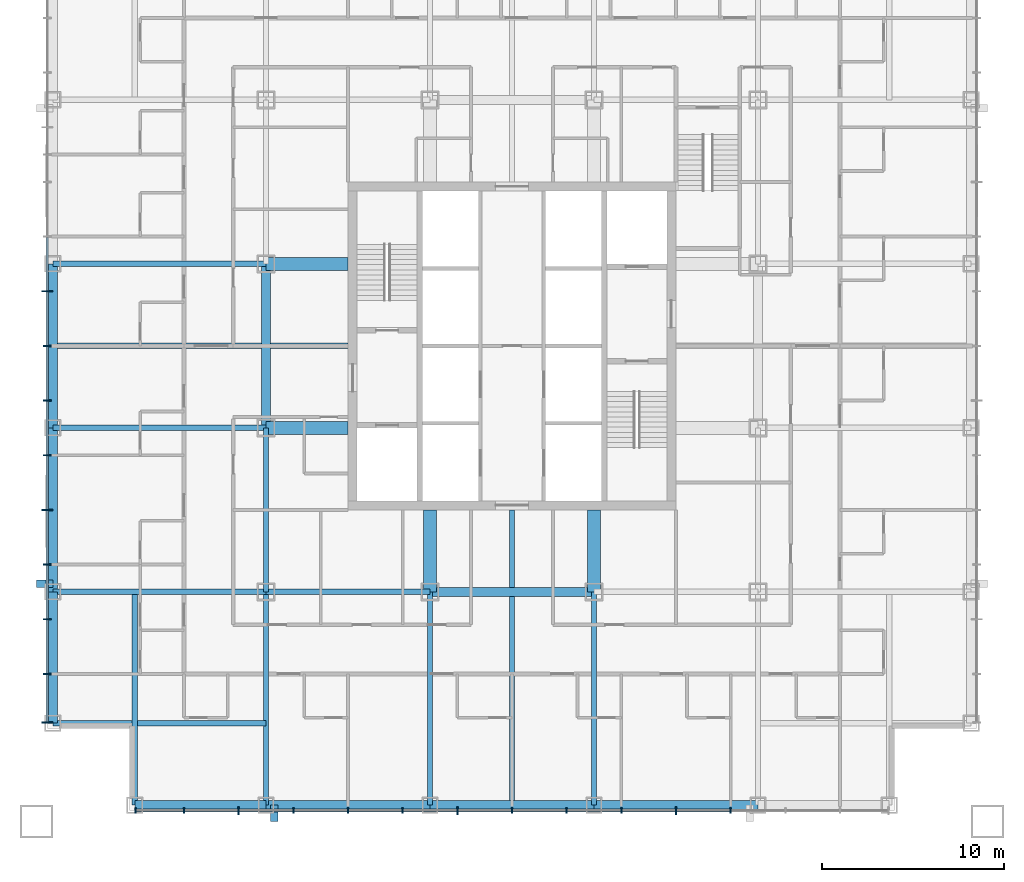
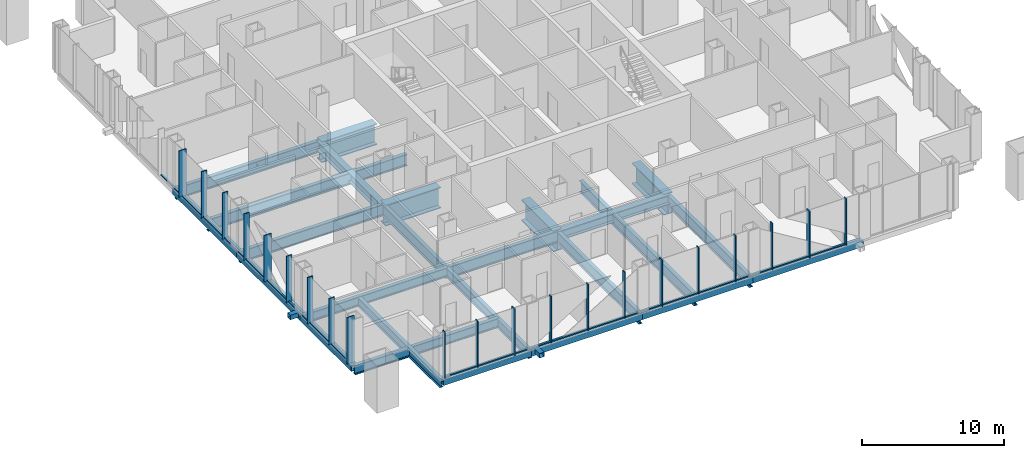
# One storey, part 2 of 14: 43 members, 25 beams, 2 elements without a shape of their own.
"""IFC4 building model written with IfcOpenShell, lengths in metres."""

from ifc_helpers import new_model, si_unit, direction, frame, origin, origin_2d, place, context, subcontext, project, spatial, rectangle, hollow_rectangle, i_section, extrude, material, layer, layer_set, material_profile, profile_set, type_object, element, aggregate, save


model = new_model("IFC4")

# Units and contexts
model_context = context("Model", 3, precision=1e-05, world=origin(), true_north=direction((0.0, 1.0)))
body_context = subcontext(model_context, "Body", "Model", "MODEL_VIEW")
ifc_project = project(units=[si_unit("LENGTHUNIT", "METRE"), si_unit("AREAUNIT", "SQUARE_METRE"), si_unit("VOLUMEUNIT", "CUBIC_METRE"), si_unit("PLANEANGLEUNIT", "RADIAN"), si_unit("MASSUNIT", "GRAM", prefix="KILO")], contexts=[model_context])

# Site, building, storey
site_placement = place(None, origin())
site = spatial("IfcSite", under=ifc_project, at=site_placement, CompositionType="ELEMENT")
building_placement = place(site_placement, origin())
building = spatial("IfcBuilding", under=site, at=building_placement, Name="Malebo Sky Hospital", CompositionType="ELEMENT")
storey_placement = place(building_placement, frame((0.0, 0.0, 71.0)))
storey = spatial("IfcBuildingStorey", under=building, at=storey_placement, Name="L16", CompositionType="ELEMENT", Elevation=71.0)

# Curtain wall, members
ifc_material_1 = material(Name="Anodised aluminium, natural silver", Category="aluminium")
ifc_layer_1 = layer(ifc_material_1, 0.25)
ifc_layer_set_1 = layer_set([ifc_layer_1], Name="WARD CURTAIN WALL EAST AND WEST")
curtain_wall_type_1 = type_object("IfcCurtainWallType", Name="WARD CURTAIN WALL EAST AND WEST", PredefinedType="NOTDEFINED", material=ifc_layer_set_1)
curtain_wall_1_placement = place(storey_placement, origin())
curtain_wall_1 = element("IfcCurtainWall", 1, at=curtain_wall_1_placement, inside=storey, type_object=curtain_wall_type_1, Name="EW curtain wall W", PredefinedType="NOTDEFINED")
ifc_material_profile_1 = material_profile(ifc_material_1, rectangle(XDim=0.14990234375, YDim=0.10009765625, at=origin_2d()), Name="ALUMINIUM TRANSOM 150x100")
ifc_profile_set_1 = profile_set([ifc_material_profile_1], Name="Anodised aluminium, natural silver")
member_type_1 = type_object("IfcMemberType", Name="ALUMINIUM TRANSOM 150x100", PredefinedType="USERDEFINED", material=ifc_profile_set_1)
member_1_placement = place(storey_placement, frame((34.5, 41.375, 0.050048828125), z_axis=(0.0, 1.0, 0.0), x_axis=(-1.0, 0.0, 0.0)))
member_1 = element("IfcMember", 2, at=member_1_placement, type_object=member_type_1, Name="Transom 1", ObjectType="TRANSOM", PredefinedType="USERDEFINED", context=body_context, shape_type="SweptSolid", body=[
    extrude(rectangle(XDim=0.14990234375, YDim=0.10009765625, at=origin_2d()), origin(), (0.0, 0.0, 1.0), 2.58740234375),
])
member_2_placement = place(storey_placement, frame((34.5, 44.03759765625, 0.050048828125), z_axis=(0.0, 1.0, 0.0), x_axis=(-1.0, 0.0, 0.0)))
member_2 = element("IfcMember", 3, at=member_2_placement, type_object=member_type_1, Name="Transom 2", ObjectType="TRANSOM", PredefinedType="USERDEFINED", context=body_context, shape_type="SweptSolid", body=[
    extrude(rectangle(XDim=0.14990234375, YDim=0.10009765625, at=origin_2d()), origin(), (0.0, 0.0, 1.0), 2.9248046875),
])
member_3_placement = place(storey_placement, frame((34.5, 47.03759765625, 0.050048828125), z_axis=(0.0, 1.0, 0.0), x_axis=(-1.0, 0.0, 0.0)))
member_3 = element("IfcMember", 4, at=member_3_placement, type_object=member_type_1, Name="Transom 3", ObjectType="TRANSOM", PredefinedType="USERDEFINED", context=body_context, shape_type="SweptSolid", body=[
    extrude(rectangle(XDim=0.14990234375, YDim=0.10009765625, at=origin_2d()), origin(), (0.0, 0.0, 1.0), 2.9248046875),
])
member_4_placement = place(storey_placement, frame((34.5, 50.03759765625, 0.050048828125), z_axis=(0.0, 1.0, 0.0), x_axis=(-1.0, 0.0, 0.0)))
member_4 = element("IfcMember", 5, at=member_4_placement, type_object=member_type_1, Name="Transom 4", ObjectType="TRANSOM", PredefinedType="USERDEFINED", context=body_context, shape_type="SweptSolid", body=[
    extrude(rectangle(XDim=0.14990234375, YDim=0.10009765625, at=origin_2d()), origin(), (0.0, 0.0, 1.0), 2.9248046875),
])
member_5_placement = place(storey_placement, frame((34.5, 53.03759765625, 0.050048828125), z_axis=(0.0, 1.0, 0.0), x_axis=(-1.0, 0.0, 0.0)))
member_5 = element("IfcMember", 6, at=member_5_placement, type_object=member_type_1, Name="Transom 5", ObjectType="TRANSOM", PredefinedType="USERDEFINED", context=body_context, shape_type="SweptSolid", body=[
    extrude(rectangle(XDim=0.14990234375, YDim=0.10009765625, at=origin_2d()), origin(), (0.0, 0.0, 1.0), 2.9248046875),
])
member_6_placement = place(storey_placement, frame((34.5, 56.03759765625, 0.050048828125), z_axis=(0.0, 1.0, 0.0), x_axis=(-1.0, 0.0, 0.0)))
member_6 = element("IfcMember", 7, at=member_6_placement, type_object=member_type_1, Name="Transom 6", ObjectType="TRANSOM", PredefinedType="USERDEFINED", context=body_context, shape_type="SweptSolid", body=[
    extrude(rectangle(XDim=0.14990234375, YDim=0.10009765625, at=origin_2d()), origin(), (0.0, 0.0, 1.0), 2.9248046875),
])
member_7_placement = place(storey_placement, frame((34.5, 59.03759765625, 0.050048828125), z_axis=(0.0, 1.0, 0.0), x_axis=(-1.0, 0.0, 0.0)))
member_7 = element("IfcMember", 8, at=member_7_placement, type_object=member_type_1, Name="Transom 7", ObjectType="TRANSOM", PredefinedType="USERDEFINED", context=body_context, shape_type="SweptSolid", body=[
    extrude(rectangle(XDim=0.14990234375, YDim=0.10009765625, at=origin_2d()), origin(), (0.0, 0.0, 1.0), 2.9248046875),
])
member_8_placement = place(storey_placement, frame((34.5, 62.03759765625, 0.050048828125), z_axis=(0.0, 1.0, 0.0), x_axis=(-1.0, 0.0, 0.0)))
member_8 = element("IfcMember", 9, at=member_8_placement, type_object=member_type_1, Name="Transom 8", ObjectType="TRANSOM", PredefinedType="USERDEFINED", context=body_context, shape_type="SweptSolid", body=[
    extrude(rectangle(XDim=0.14990234375, YDim=0.10009765625, at=origin_2d()), origin(), (0.0, 0.0, 1.0), 2.9248046875),
])
member_9_placement = place(storey_placement, frame((34.5, 65.03759765625, 0.050048828125), z_axis=(0.0, 1.0, 0.0), x_axis=(-1.0, 0.0, 0.0)))
member_9 = element("IfcMember", 10, at=member_9_placement, type_object=member_type_1, Name="Transom 9", ObjectType="TRANSOM", PredefinedType="USERDEFINED", context=body_context, shape_type="SweptSolid", body=[
    extrude(rectangle(XDim=0.14990234375, YDim=0.10009765625, at=origin_2d()), origin(), (0.0, 0.0, 1.0), 2.9248046875),
])

ifc_layer_2 = layer(ifc_material_1, 0.25)
ifc_layer_set_2 = layer_set([ifc_layer_2], Name="WARD CURTAIN WALL NORTH AND SOUTH")
curtain_wall_type_2 = type_object("IfcCurtainWallType", Name="WARD CURTAIN WALL NORTH AND SOUTH", PredefinedType="NOTDEFINED", material=ifc_layer_set_2)
curtain_wall_2_placement = place(storey_placement, origin())
curtain_wall_2 = element("IfcCurtainWall", 11, at=curtain_wall_2_placement, inside=storey, type_object=curtain_wall_type_2, Name="NS curtain wall S", PredefinedType="NOTDEFINED")
member_10_placement = place(storey_placement, frame((71.96240234375, 36.5, 0.050048828125), z_axis=(-1.0, 0.0, 0.0), x_axis=(0.0, -1.0, 0.0)))
member_10 = element("IfcMember", 12, at=member_10_placement, type_object=member_type_1, Name="Transom 4", ObjectType="TRANSOM", PredefinedType="USERDEFINED", context=body_context, shape_type="SweptSolid", body=[
    extrude(rectangle(XDim=0.14990234375, YDim=0.10009765625, at=origin_2d()), origin(), (0.0, 0.0, 1.0), 2.9248046875),
])
member_11_placement = place(storey_placement, frame((68.96240234375, 36.5, 0.050048828125), z_axis=(-1.0, 0.0, 0.0), x_axis=(0.0, -1.0, 0.0)))
member_11 = element("IfcMember", 13, at=member_11_placement, type_object=member_type_1, Name="Transom 5", ObjectType="TRANSOM", PredefinedType="USERDEFINED", context=body_context, shape_type="SweptSolid", body=[
    extrude(rectangle(XDim=0.14990234375, YDim=0.10009765625, at=origin_2d()), origin(), (0.0, 0.0, 1.0), 2.9248046875),
])
member_12_placement = place(storey_placement, frame((65.96240234375, 36.5, 0.050048828125), z_axis=(-1.0, 0.0, 0.0), x_axis=(0.0, -1.0, 0.0)))
member_12 = element("IfcMember", 14, at=member_12_placement, type_object=member_type_1, Name="Transom 6", ObjectType="TRANSOM", PredefinedType="USERDEFINED", context=body_context, shape_type="SweptSolid", body=[
    extrude(rectangle(XDim=0.14990234375, YDim=0.10009765625, at=origin_2d()), origin(), (0.0, 0.0, 1.0), 2.9248046875),
])
member_13_placement = place(storey_placement, frame((62.96240234375, 36.5, 0.050048828125), z_axis=(-1.0, 0.0, 0.0), x_axis=(0.0, -1.0, 0.0)))
member_13 = element("IfcMember", 15, at=member_13_placement, type_object=member_type_1, Name="Transom 7", ObjectType="TRANSOM", PredefinedType="USERDEFINED", context=body_context, shape_type="SweptSolid", body=[
    extrude(rectangle(XDim=0.14990234375, YDim=0.10009765625, at=origin_2d()), origin(), (0.0, 0.0, 1.0), 2.9248046875),
])
member_14_placement = place(storey_placement, frame((59.96240234375, 36.5, 0.050048828125), z_axis=(-1.0, 0.0, 0.0), x_axis=(0.0, -1.0, 0.0)))
member_14 = element("IfcMember", 16, at=member_14_placement, type_object=member_type_1, Name="Transom 8", ObjectType="TRANSOM", PredefinedType="USERDEFINED", context=body_context, shape_type="SweptSolid", body=[
    extrude(rectangle(XDim=0.14990234375, YDim=0.10009765625, at=origin_2d()), origin(), (0.0, 0.0, 1.0), 2.9248046875),
])
member_15_placement = place(storey_placement, frame((56.96240234375, 36.5, 0.050048828125), z_axis=(-1.0, 0.0, 0.0), x_axis=(0.0, -1.0, 0.0)))
member_15 = element("IfcMember", 17, at=member_15_placement, type_object=member_type_1, Name="Transom 9", ObjectType="TRANSOM", PredefinedType="USERDEFINED", context=body_context, shape_type="SweptSolid", body=[
    extrude(rectangle(XDim=0.14990234375, YDim=0.10009765625, at=origin_2d()), origin(), (0.0, 0.0, 1.0), 2.9248046875),
])
member_16_placement = place(storey_placement, frame((53.96240234375, 36.5, 0.050048828125), z_axis=(-1.0, 0.0, 0.0), x_axis=(0.0, -1.0, 0.0)))
member_16 = element("IfcMember", 18, at=member_16_placement, type_object=member_type_1, Name="Transom 10", ObjectType="TRANSOM", PredefinedType="USERDEFINED", context=body_context, shape_type="SweptSolid", body=[
    extrude(rectangle(XDim=0.14990234375, YDim=0.10009765625, at=origin_2d()), origin(), (0.0, 0.0, 1.0), 2.9248046875),
])
member_17_placement = place(storey_placement, frame((50.96240234375, 36.5, 0.050048828125), z_axis=(-1.0, 0.0, 0.0), x_axis=(0.0, -1.0, 0.0)))
member_17 = element("IfcMember", 19, at=member_17_placement, type_object=member_type_1, Name="Transom 11", ObjectType="TRANSOM", PredefinedType="USERDEFINED", context=body_context, shape_type="SweptSolid", body=[
    extrude(rectangle(XDim=0.14990234375, YDim=0.10009765625, at=origin_2d()), origin(), (0.0, 0.0, 1.0), 2.9248046875),
])
member_18_placement = place(storey_placement, frame((47.96240234375, 36.5, 0.050048828125), z_axis=(-1.0, 0.0, 0.0), x_axis=(0.0, -1.0, 0.0)))
member_18 = element("IfcMember", 20, at=member_18_placement, type_object=member_type_1, Name="Transom 12", ObjectType="TRANSOM", PredefinedType="USERDEFINED", context=body_context, shape_type="SweptSolid", body=[
    extrude(rectangle(XDim=0.14990234375, YDim=0.10009765625, at=origin_2d()), origin(), (0.0, 0.0, 1.0), 2.9248046875),
])
member_19_placement = place(storey_placement, frame((44.96240234375, 36.5, 0.050048828125), z_axis=(-1.0, 0.0, 0.0), x_axis=(0.0, -1.0, 0.0)))
member_19 = element("IfcMember", 21, at=member_19_placement, type_object=member_type_1, Name="Transom 13", ObjectType="TRANSOM", PredefinedType="USERDEFINED", context=body_context, shape_type="SweptSolid", body=[
    extrude(rectangle(XDim=0.14990234375, YDim=0.10009765625, at=origin_2d()), origin(), (0.0, 0.0, 1.0), 2.9248046875),
])
member_20_placement = place(storey_placement, frame((41.96240234375, 36.5, 0.050048828125), z_axis=(-1.0, 0.0, 0.0), x_axis=(0.0, -1.0, 0.0)))
member_20 = element("IfcMember", 22, at=member_20_placement, type_object=member_type_1, Name="Transom 14", ObjectType="TRANSOM", PredefinedType="USERDEFINED", context=body_context, shape_type="SweptSolid", body=[
    extrude(rectangle(XDim=0.14990234375, YDim=0.10009765625, at=origin_2d()), origin(), (0.0, 0.0, 1.0), 2.58740234375),
])

# Members
ifc_material_2 = material(Name="Steel S355", Category="steel")
ifc_material_profile_2 = material_profile(ifc_material_2, hollow_rectangle(XDim=0.39990234375, YDim=0.39990234375, WallThickness=0.02001953125, at=origin_2d()), Name="SHS 400x20")
ifc_profile_set_2 = profile_set([ifc_material_profile_2], Name="Steel S355")
member_type_2 = type_object("IfcMemberType", Name="BRACE STRUT SHS 400x20", PredefinedType="STRUT", material=ifc_profile_set_2)
for number, where, z_axis, x_axis, name in (
    (23, (46.949951171875, 35.89990234375, -0.39990234375), (0.0, 1.0, 0.0), (-1.0, 0.0, 0.0), "Brace strut AS1 L16"),
    (24, (33.89990234375, 48.949951171875, -0.39990234375), (1.0, 0.0, 0.0), (0.0, 1.0, 0.0), "Brace strut AW2 L16"),
):
    element("IfcMember", number, at=place(storey_placement, frame(where, z_axis=z_axis, x_axis=x_axis)), inside=storey, type_object=member_type_2, Name=name, PredefinedType="STRUT", context=body_context, shape_type="SweptSolid", body=[
        extrude(hollow_rectangle(XDim=0.39990234375, YDim=0.39990234375, WallThickness=0.02001953125, at=origin_2d()), origin(), (0.0, 0.0, 1.0), 0.900146484375),
    ])

# Member
ifc_material_profile_3 = material_profile(ifc_material_1, rectangle(XDim=0.074951171875, YDim=0.300048828125, at=origin_2d()), Name="CW1 ALUMINIUM FIN MULLION 75x300")
ifc_profile_set_3 = profile_set([ifc_material_profile_3], Name="Anodised aluminium, natural silver")
member_type_3 = type_object("IfcMemberType", Name="CW1 ALUMINIUM FIN MULLION 75x300", PredefinedType="MULLION", material=ifc_profile_set_3)
member_21_placement = place(storey_placement, frame((72.0, 36.5, 0.0), z_axis=(0.0, 0.0, 1.0), x_axis=(-1.0, 0.0, 0.0)))
member_21 = element("IfcMember", 25, at=member_21_placement, type_object=member_type_3, Name="Fin mullion 4", PredefinedType="MULLION", context=body_context, shape_type="SweptSolid", body=[
    extrude(rectangle(XDim=0.074951171875, YDim=0.300048828125, at=origin_2d()), origin(), (0.0, 0.0, 1.0), 4.0),
])

member_22_placement = place(storey_placement, frame((66.0, 36.5, 0.0), z_axis=(0.0, 0.0, 1.0), x_axis=(-1.0, 0.0, 0.0)))
member_22 = element("IfcMember", 26, at=member_22_placement, type_object=member_type_3, Name="Fin mullion 6", PredefinedType="MULLION", context=body_context, shape_type="SweptSolid", body=[
    extrude(rectangle(XDim=0.074951171875, YDim=0.300048828125, at=origin_2d()), origin(), (0.0, 0.0, 1.0), 4.0),
])

member_23_placement = place(storey_placement, frame((63.0, 36.5, 0.0), z_axis=(0.0, 0.0, 1.0), x_axis=(-1.0, 0.0, 0.0)))
member_23 = element("IfcMember", 27, at=member_23_placement, type_object=member_type_3, Name="Fin mullion 7", PredefinedType="MULLION", context=body_context, shape_type="SweptSolid", body=[
    extrude(rectangle(XDim=0.074951171875, YDim=0.300048828125, at=origin_2d()), origin(), (0.0, 0.0, 1.0), 4.0),
])

member_24_placement = place(storey_placement, frame((60.0, 36.5, 0.0), z_axis=(0.0, 0.0, 1.0), x_axis=(-1.0, 0.0, 0.0)))
member_24 = element("IfcMember", 28, at=member_24_placement, type_object=member_type_3, Name="Fin mullion 8", PredefinedType="MULLION", context=body_context, shape_type="SweptSolid", body=[
    extrude(rectangle(XDim=0.074951171875, YDim=0.300048828125, at=origin_2d()), origin(), (0.0, 0.0, 1.0), 4.0),
])

member_25_placement = place(storey_placement, frame((54.0, 36.5, 0.0), z_axis=(0.0, 0.0, 1.0), x_axis=(-1.0, 0.0, 0.0)))
member_25 = element("IfcMember", 29, at=member_25_placement, type_object=member_type_3, Name="Fin mullion 10", PredefinedType="MULLION", context=body_context, shape_type="SweptSolid", body=[
    extrude(rectangle(XDim=0.074951171875, YDim=0.300048828125, at=origin_2d()), origin(), (0.0, 0.0, 1.0), 4.0),
])

member_26_placement = place(storey_placement, frame((51.0, 36.5, 0.0), z_axis=(0.0, 0.0, 1.0), x_axis=(-1.0, 0.0, 0.0)))
member_26 = element("IfcMember", 30, at=member_26_placement, type_object=member_type_3, Name="Fin mullion 11", PredefinedType="MULLION", context=body_context, shape_type="SweptSolid", body=[
    extrude(rectangle(XDim=0.074951171875, YDim=0.300048828125, at=origin_2d()), origin(), (0.0, 0.0, 1.0), 4.0),
])

member_27_placement = place(storey_placement, frame((48.0, 36.5, 0.0), z_axis=(0.0, 0.0, 1.0), x_axis=(-1.0, 0.0, 0.0)))
member_27 = element("IfcMember", 31, at=member_27_placement, type_object=member_type_3, Name="Fin mullion 12", PredefinedType="MULLION", context=body_context, shape_type="SweptSolid", body=[
    extrude(rectangle(XDim=0.074951171875, YDim=0.300048828125, at=origin_2d()), origin(), (0.0, 0.0, 1.0), 4.0),
])

member_28_placement = place(storey_placement, frame((42.0, 36.5, 0.0), z_axis=(0.0, 0.0, 1.0), x_axis=(-1.0, 0.0, 0.0)))
member_28 = element("IfcMember", 32, at=member_28_placement, type_object=member_type_3, Name="Fin mullion 14", PredefinedType="MULLION", context=body_context, shape_type="SweptSolid", body=[
    extrude(rectangle(XDim=0.074951171875, YDim=0.300048828125, at=origin_2d()), origin(), (0.0, 0.0, 1.0), 4.0),
])

member_29_placement = place(storey_placement, frame((39.33740234375, 36.5, 0.0), z_axis=(0.0, 0.0, 1.0), x_axis=(-1.0, 0.0, 0.0)))
member_29 = element("IfcMember", 33, at=member_29_placement, type_object=member_type_3, Name="Fin mullion 15", PredefinedType="MULLION", context=body_context, shape_type="SweptSolid", body=[
    extrude(rectangle(XDim=0.074951171875, YDim=0.300048828125, at=origin_2d()), origin(), (0.0, 0.0, 1.0), 4.0),
])

ifc_material_profile_4 = material_profile(ifc_material_1, rectangle(XDim=0.074951171875, YDim=0.449951171875, at=origin_2d()), Name="CW1 ALUMINIUM FIN MULLION 75x450")
ifc_profile_set_4 = profile_set([ifc_material_profile_4], Name="Anodised aluminium, natural silver")
member_type_4 = type_object("IfcMemberType", Name="CW1 ALUMINIUM FIN MULLION 75x450", PredefinedType="MULLION", material=ifc_profile_set_4)
member_30_placement = place(storey_placement, frame((69.0, 36.5, 0.0), z_axis=(0.0, 0.0, 1.0), x_axis=(-1.0, 0.0, 0.0)))
member_30 = element("IfcMember", 34, at=member_30_placement, type_object=member_type_4, Name="Fin mullion 5", PredefinedType="MULLION", context=body_context, shape_type="SweptSolid", body=[
    extrude(rectangle(XDim=0.074951171875, YDim=0.449951171875, at=origin_2d()), origin(), (0.0, 0.0, 1.0), 4.0),
])

member_31_placement = place(storey_placement, frame((57.0, 36.5, 0.0), z_axis=(0.0, 0.0, 1.0), x_axis=(-1.0, 0.0, 0.0)))
member_31 = element("IfcMember", 35, at=member_31_placement, type_object=member_type_4, Name="Fin mullion 9", PredefinedType="MULLION", context=body_context, shape_type="SweptSolid", body=[
    extrude(rectangle(XDim=0.074951171875, YDim=0.449951171875, at=origin_2d()), origin(), (0.0, 0.0, 1.0), 4.0),
])

member_32_placement = place(storey_placement, frame((45.0, 36.5, 0.0), z_axis=(0.0, 0.0, 1.0), x_axis=(-1.0, 0.0, 0.0)))
member_32 = element("IfcMember", 36, at=member_32_placement, type_object=member_type_4, Name="Fin mullion 13", PredefinedType="MULLION", context=body_context, shape_type="SweptSolid", body=[
    extrude(rectangle(XDim=0.074951171875, YDim=0.449951171875, at=origin_2d()), origin(), (0.0, 0.0, 1.0), 4.0),
])

aggregate(curtain_wall_2, [member_21, member_30, member_22, member_23, member_24, member_31, member_25, member_26, member_27, member_32, member_28, member_29, member_10, member_11, member_12, member_13, member_14, member_15, member_16, member_17, member_18, member_19, member_20])

ifc_material_profile_5 = material_profile(ifc_material_1, rectangle(XDim=0.074951171875, YDim=0.449951171875, at=origin_2d()), Name="CW2 ALUMINIUM FIN MULLION 75x450")
ifc_profile_set_5 = profile_set([ifc_material_profile_5], Name="Anodised aluminium, natural silver")
member_type_5 = type_object("IfcMemberType", Name="CW2 ALUMINIUM FIN MULLION 75x450", PredefinedType="MULLION", material=ifc_profile_set_5)
member_33_placement = place(storey_placement, frame((34.5, 44.0, 0.0), z_axis=(0.0, 0.0, 1.0), x_axis=(0.0, 1.0, 0.0)))
member_33 = element("IfcMember", 37, at=member_33_placement, type_object=member_type_5, Name="Fin mullion 2", PredefinedType="MULLION", context=body_context, shape_type="SweptSolid", body=[
    extrude(rectangle(XDim=0.074951171875, YDim=0.449951171875, at=origin_2d()), origin(), (0.0, 0.0, 1.0), 4.0),
])

member_34_placement = place(storey_placement, frame((34.5, 47.0, 0.0), z_axis=(0.0, 0.0, 1.0), x_axis=(0.0, 1.0, 0.0)))
member_34 = element("IfcMember", 38, at=member_34_placement, type_object=member_type_5, Name="Fin mullion 3", PredefinedType="MULLION", context=body_context, shape_type="SweptSolid", body=[
    extrude(rectangle(XDim=0.074951171875, YDim=0.449951171875, at=origin_2d()), origin(), (0.0, 0.0, 1.0), 4.0),
])

member_35_placement = place(storey_placement, frame((34.5, 50.0, 0.0), z_axis=(0.0, 0.0, 1.0), x_axis=(0.0, 1.0, 0.0)))
member_35 = element("IfcMember", 39, at=member_35_placement, type_object=member_type_5, Name="Fin mullion 4", PredefinedType="MULLION", context=body_context, shape_type="SweptSolid", body=[
    extrude(rectangle(XDim=0.074951171875, YDim=0.449951171875, at=origin_2d()), origin(), (0.0, 0.0, 1.0), 4.0),
])

member_36_placement = place(storey_placement, frame((34.5, 56.0, 0.0), z_axis=(0.0, 0.0, 1.0), x_axis=(0.0, 1.0, 0.0)))
member_36 = element("IfcMember", 40, at=member_36_placement, type_object=member_type_5, Name="Fin mullion 6", PredefinedType="MULLION", context=body_context, shape_type="SweptSolid", body=[
    extrude(rectangle(XDim=0.074951171875, YDim=0.449951171875, at=origin_2d()), origin(), (0.0, 0.0, 1.0), 4.0),
])

member_37_placement = place(storey_placement, frame((34.5, 59.0, 0.0), z_axis=(0.0, 0.0, 1.0), x_axis=(0.0, 1.0, 0.0)))
member_37 = element("IfcMember", 41, at=member_37_placement, type_object=member_type_5, Name="Fin mullion 7", PredefinedType="MULLION", context=body_context, shape_type="SweptSolid", body=[
    extrude(rectangle(XDim=0.074951171875, YDim=0.449951171875, at=origin_2d()), origin(), (0.0, 0.0, 1.0), 4.0),
])

member_38_placement = place(storey_placement, frame((34.5, 62.0, 0.0), z_axis=(0.0, 0.0, 1.0), x_axis=(0.0, 1.0, 0.0)))
member_38 = element("IfcMember", 42, at=member_38_placement, type_object=member_type_5, Name="Fin mullion 8", PredefinedType="MULLION", context=body_context, shape_type="SweptSolid", body=[
    extrude(rectangle(XDim=0.074951171875, YDim=0.449951171875, at=origin_2d()), origin(), (0.0, 0.0, 1.0), 4.0),
])

ifc_material_profile_6 = material_profile(ifc_material_1, rectangle(XDim=0.074951171875, YDim=0.60009765625, at=origin_2d()), Name="CW2 ALUMINIUM FIN MULLION 75x600")
ifc_profile_set_6 = profile_set([ifc_material_profile_6], Name="Anodised aluminium, natural silver")
member_type_6 = type_object("IfcMemberType", Name="CW2 ALUMINIUM FIN MULLION 75x600", PredefinedType="MULLION", material=ifc_profile_set_6)
member_39_placement = place(storey_placement, frame((34.5, 41.33740234375, 0.0), z_axis=(0.0, 0.0, 1.0), x_axis=(0.0, 1.0, 0.0)))
member_39 = element("IfcMember", 43, at=member_39_placement, type_object=member_type_6, Name="Fin mullion 1", PredefinedType="MULLION", context=body_context, shape_type="SweptSolid", body=[
    extrude(rectangle(XDim=0.074951171875, YDim=0.60009765625, at=origin_2d()), origin(), (0.0, 0.0, 1.0), 4.0),
])

member_40_placement = place(storey_placement, frame((34.5, 53.0, 0.0), z_axis=(0.0, 0.0, 1.0), x_axis=(0.0, 1.0, 0.0)))
member_40 = element("IfcMember", 44, at=member_40_placement, type_object=member_type_6, Name="Fin mullion 5", PredefinedType="MULLION", context=body_context, shape_type="SweptSolid", body=[
    extrude(rectangle(XDim=0.074951171875, YDim=0.60009765625, at=origin_2d()), origin(), (0.0, 0.0, 1.0), 4.0),
])

member_41_placement = place(storey_placement, frame((34.5, 65.0, 0.0), z_axis=(0.0, 0.0, 1.0), x_axis=(0.0, 1.0, 0.0)))
member_41 = element("IfcMember", 45, at=member_41_placement, type_object=member_type_6, Name="Fin mullion 9", PredefinedType="MULLION", context=body_context, shape_type="SweptSolid", body=[
    extrude(rectangle(XDim=0.074951171875, YDim=0.60009765625, at=origin_2d()), origin(), (0.0, 0.0, 1.0), 4.0),
])

aggregate(curtain_wall_1, [member_39, member_33, member_34, member_35, member_40, member_36, member_37, member_38, member_41, member_1, member_2, member_3, member_4, member_5, member_6, member_7, member_8, member_9])

# Beams
ifc_material_3 = material(Name="Steel S460", Category="steel")
ifc_material_profile_7 = material_profile(ifc_material_3, hollow_rectangle(XDim=0.5, YDim=0.5, WallThickness=0.030029296875, at=origin_2d()), Name="BOX 500x500x30")
ifc_profile_set_7 = profile_set([ifc_material_profile_7], Name="Steel S460")
beam_type_1 = type_object("IfcBeamType", Name="EDGE BEAM BOX 500x500x30", PredefinedType="BEAM", material=ifc_profile_set_7)
beam_1_placement = place(storey_placement, frame((34.800048828125, 41.300048828125, -0.5), z_axis=(0.0, 1.0, 0.0), x_axis=(-1.0, 0.0, 0.0)))
element("IfcBeam", 46, at=beam_1_placement, inside=storey, type_object=beam_type_1, Name="Beam 000 L16", PredefinedType="BEAM", context=body_context, shape_type="SweptSolid", body=[
    extrude(hollow_rectangle(XDim=0.5, YDim=0.5, WallThickness=0.030029296875, at=origin_2d()), origin(), (0.0, 0.0, 1.0), 7.199951171875),
])
for number, where, z_axis, x_axis, name in (
    (47, (34.800048828125, 48.5, -0.5), (0.0, 1.0, 0.0), (-1.0, 0.0, 0.0), "Beam 001 L16"),
    (48, (34.800048828125, 57.5, -0.5), (0.0, 1.0, 0.0), (-1.0, 0.0, 0.0), "Beam 002 L16"),
):
    element("IfcBeam", number, at=place(storey_placement, frame(where, z_axis=z_axis, x_axis=x_axis)), inside=storey, type_object=beam_type_1, Name=name, PredefinedType="BEAM", context=body_context, shape_type="SweptSolid", body=[
        extrude(hollow_rectangle(XDim=0.5, YDim=0.5, WallThickness=0.030029296875, at=origin_2d()), origin(), (0.0, 0.0, 1.0), 9.0),
    ])
beam_2_placement = place(storey_placement, frame((39.300048828125, 36.800048828125, -0.5), z_axis=(1.0, 0.0, 0.0), x_axis=(0.0, 1.0, 0.0)))
element("IfcBeam", 49, at=beam_2_placement, inside=storey, type_object=beam_type_1, Name="Beam 034 L16", PredefinedType="BEAM", context=body_context, shape_type="SweptSolid", body=[
    extrude(hollow_rectangle(XDim=0.5, YDim=0.5, WallThickness=0.030029296875, at=origin_2d()), origin(), (0.0, 0.0, 1.0), 7.199951171875),
])
for number, where, z_axis, x_axis, name in (
    (50, (46.5, 36.800048828125, -0.5), (1.0, 0.0, 0.0), (0.0, 1.0, 0.0), "Beam 035 L16"),
    (51, (55.5, 36.800048828125, -0.5), (1.0, 0.0, 0.0), (0.0, 1.0, 0.0), "Beam 036 L16"),
    (52, (64.5, 36.800048828125, -0.5), (1.0, 0.0, 0.0), (0.0, 1.0, 0.0), "Beam 037 L16"),
):
    element("IfcBeam", number, at=place(storey_placement, frame(where, z_axis=z_axis, x_axis=x_axis)), inside=storey, type_object=beam_type_1, Name=name, PredefinedType="BEAM", context=body_context, shape_type="SweptSolid", body=[
        extrude(hollow_rectangle(XDim=0.5, YDim=0.5, WallThickness=0.030029296875, at=origin_2d()), origin(), (0.0, 0.0, 1.0), 9.0),
    ])
ifc_material_profile_8 = material_profile(ifc_material_2, i_section(OverallWidth=0.300048828125, OverallDepth=1.0, WebThickness=0.01904296875, FlangeThickness=0.035888671875, FilletRadius=0.030029296875, at=origin_2d()), Name="HEB 1000")
ifc_profile_set_8 = profile_set([ifc_material_profile_8], Name="Steel S355")
beam_type_2 = type_object("IfcBeamType", Name="FLOOR BEAM HEB 1000", PredefinedType="BEAM", material=ifc_profile_set_8)
beam_3_placement = place(storey_placement, frame((46.5, 48.5, -0.75), z_axis=(0.0, 1.0, 0.0), x_axis=(-1.0, 0.0, 0.0)))
element("IfcBeam", 53, at=beam_3_placement, inside=storey, type_object=beam_type_2, Name="Beam 008 L16", PredefinedType="BEAM", context=body_context, shape_type="SweptSolid", body=[
    extrude(i_section(OverallWidth=0.300048828125, OverallDepth=1.0, WebThickness=0.01904296875, FlangeThickness=0.035888671875, FilletRadius=0.030029296875, at=origin_2d()), origin(), (0.0, 0.0, 1.0), 9.0),
])
beam_4_placement = place(storey_placement, frame((55.5, 36.800048828125, -0.75), z_axis=(0.0, 1.0, 0.0), x_axis=(-1.0, 0.0, 0.0)))
element("IfcBeam", 54, at=beam_4_placement, inside=storey, type_object=beam_type_2, Name="Beam 012 L16", PredefinedType="BEAM", context=body_context, shape_type="SweptSolid", body=[
    extrude(i_section(OverallWidth=0.300048828125, OverallDepth=1.0, WebThickness=0.01904296875, FlangeThickness=0.035888671875, FilletRadius=0.030029296875, at=origin_2d()), origin(), (0.0, 0.0, 1.0), 11.699951171875),
])
beam_5_placement = place(storey_placement, frame((60.0, 36.800048828125, -0.75), z_axis=(0.0, 1.0, 0.0), x_axis=(-1.0, 0.0, 0.0)))
element("IfcBeam", 55, at=beam_5_placement, inside=storey, type_object=beam_type_2, Name="Beam 016 L16", PredefinedType="BEAM", context=body_context, shape_type="SweptSolid", body=[
    extrude(i_section(OverallWidth=0.300048828125, OverallDepth=1.0, WebThickness=0.01904296875, FlangeThickness=0.035888671875, FilletRadius=0.030029296875, at=origin_2d()), origin(), (0.0, 0.0, 1.0), 16.199951171875),
])
beam_6_placement = place(storey_placement, frame((64.5, 36.800048828125, -0.75), z_axis=(0.0, 1.0, 0.0), x_axis=(-1.0, 0.0, 0.0)))
element("IfcBeam", 56, at=beam_6_placement, inside=storey, type_object=beam_type_2, Name="Beam 018 L16", PredefinedType="BEAM", context=body_context, shape_type="SweptSolid", body=[
    extrude(i_section(OverallWidth=0.300048828125, OverallDepth=1.0, WebThickness=0.01904296875, FlangeThickness=0.035888671875, FilletRadius=0.030029296875, at=origin_2d()), origin(), (0.0, 0.0, 1.0), 11.699951171875),
])
beam_7_placement = place(storey_placement, frame((46.5, 48.5, -0.75), z_axis=(1.0, 0.0, 0.0), x_axis=(0.0, 1.0, 0.0)))
element("IfcBeam", 57, at=beam_7_placement, inside=storey, type_object=beam_type_2, Name="Beam 042 L16", PredefinedType="BEAM", context=body_context, shape_type="SweptSolid", body=[
    extrude(i_section(OverallWidth=0.300048828125, OverallDepth=1.0, WebThickness=0.01904296875, FlangeThickness=0.035888671875, FilletRadius=0.030029296875, at=origin_2d()), origin(), (0.0, 0.0, 1.0), 9.0),
])
beam_8_placement = place(storey_placement, frame((34.800048828125, 57.5, -0.75), z_axis=(1.0, 0.0, 0.0), x_axis=(0.0, 1.0, 0.0)))
element("IfcBeam", 58, at=beam_8_placement, inside=storey, type_object=beam_type_2, Name="Beam 046 L16", PredefinedType="BEAM", context=body_context, shape_type="SweptSolid", body=[
    extrude(i_section(OverallWidth=0.300048828125, OverallDepth=1.0, WebThickness=0.01904296875, FlangeThickness=0.035888671875, FilletRadius=0.030029296875, at=origin_2d()), origin(), (0.0, 0.0, 1.0), 11.699951171875),
])
beam_9_placement = place(storey_placement, frame((34.800048828125, 62.0, -0.75), z_axis=(1.0, 0.0, 0.0), x_axis=(0.0, 1.0, 0.0)))
element("IfcBeam", 59, at=beam_9_placement, inside=storey, type_object=beam_type_2, Name="Beam 050 L16", PredefinedType="BEAM", context=body_context, shape_type="SweptSolid", body=[
    extrude(i_section(OverallWidth=0.300048828125, OverallDepth=1.0, WebThickness=0.01904296875, FlangeThickness=0.035888671875, FilletRadius=0.030029296875, at=origin_2d()), origin(), (0.0, 0.0, 1.0), 16.199951171875),
])
beam_10_placement = place(storey_placement, frame((34.800048828125, 66.5, -0.75), z_axis=(1.0, 0.0, 0.0), x_axis=(0.0, 1.0, 0.0)))
element("IfcBeam", 60, at=beam_10_placement, inside=storey, type_object=beam_type_2, Name="Beam 052 L16", PredefinedType="BEAM", context=body_context, shape_type="SweptSolid", body=[
    extrude(i_section(OverallWidth=0.300048828125, OverallDepth=1.0, WebThickness=0.01904296875, FlangeThickness=0.035888671875, FilletRadius=0.030029296875, at=origin_2d()), origin(), (0.0, 0.0, 1.0), 11.699951171875),
])
ifc_material_profile_9 = material_profile(ifc_material_2, i_section(OverallWidth=0.300048828125, OverallDepth=0.800048828125, WebThickness=0.017578125, FlangeThickness=0.032958984375, FilletRadius=0.030029296875, at=origin_2d()), Name="HEB 800")
ifc_profile_set_9 = profile_set([ifc_material_profile_9], Name="Steel S355")
beam_type_3 = type_object("IfcBeamType", Name="FLOOR BEAM HEB 800", PredefinedType="BEAM", material=ifc_profile_set_9)
for number, where, z_axis, x_axis, name in (
    (61, (39.300048828125, 36.800048828125, -0.64990234375), (0.0, 1.0, 0.0), (-1.0, 0.0, 0.0), "Beam 005 L16"),
    (62, (34.800048828125, 41.300048828125, -0.64990234375), (1.0, 0.0, 0.0), (0.0, 1.0, 0.0), "Beam 039 L16"),
):
    element("IfcBeam", number, at=place(storey_placement, frame(where, z_axis=z_axis, x_axis=x_axis)), inside=storey, type_object=beam_type_3, Name=name, PredefinedType="BEAM", context=body_context, shape_type="SweptSolid", body=[
        extrude(i_section(OverallWidth=0.300048828125, OverallDepth=0.800048828125, WebThickness=0.017578125, FlangeThickness=0.032958984375, FilletRadius=0.030029296875, at=origin_2d()), origin(), (0.0, 0.0, 1.0), 11.699951171875),
    ])
ifc_material_profile_10 = material_profile(ifc_material_2, i_section(OverallWidth=0.699951171875, OverallDepth=1.800048828125, WebThickness=0.034912109375, FlangeThickness=0.070068359375, at=origin_2d()), Name="PG 1800x700x35x70")
ifc_profile_set_10 = profile_set([ifc_material_profile_10], Name="Steel S355")
beam_type_4 = type_object("IfcBeamType", Name="FLOOR BEAM PG 1800x700x35x70", PredefinedType="BEAM", material=ifc_profile_set_10)
for number, where, z_axis, x_axis, name in (
    (63, (55.5, 48.5, -1.14990234375), (0.0, 1.0, 0.0), (-1.0, 0.0, 0.0), "Beam 013 L16"),
    (64, (64.5, 48.5, -1.14990234375), (0.0, 1.0, 0.0), (-1.0, 0.0, 0.0), "Beam 019 L16"),
    (65, (46.5, 57.5, -1.14990234375), (1.0, 0.0, 0.0), (0.0, 1.0, 0.0), "Beam 047 L16"),
    (66, (46.5, 66.5, -1.14990234375), (1.0, 0.0, 0.0), (0.0, 1.0, 0.0), "Beam 053 L16"),
):
    element("IfcBeam", number, at=place(storey_placement, frame(where, z_axis=z_axis, x_axis=x_axis)), inside=storey, type_object=beam_type_4, Name=name, PredefinedType="BEAM", context=body_context, shape_type="SweptSolid", body=[
        extrude(i_section(OverallWidth=0.699951171875, OverallDepth=1.800048828125, WebThickness=0.034912109375, FlangeThickness=0.070068359375, at=origin_2d()), origin(), (0.0, 0.0, 1.0), 4.5),
    ])
ifc_material_profile_11 = material_profile(ifc_material_2, i_section(OverallWidth=0.300048828125, OverallDepth=0.800048828125, WebThickness=0.017578125, FlangeThickness=0.032958984375, FilletRadius=0.030029296875, at=origin_2d()), Name="HEB 800")
ifc_profile_set_11 = profile_set([ifc_material_profile_11], Name="Steel S355")
beam_type_5 = type_object("IfcBeamType", Name="FLOOR GIRDER HEB 800", PredefinedType="BEAM", material=ifc_profile_set_11)
for number, where, z_axis, x_axis, name in (
    (67, (46.5, 36.800048828125, -0.64990234375), (0.0, 1.0, 0.0), (-1.0, 0.0, 0.0), "Beam 007 L16"),
    (68, (34.800048828125, 48.5, -0.64990234375), (1.0, 0.0, 0.0), (0.0, 1.0, 0.0), "Beam 041 L16"),
):
    element("IfcBeam", number, at=place(storey_placement, frame(where, z_axis=z_axis, x_axis=x_axis)), inside=storey, type_object=beam_type_5, Name=name, PredefinedType="BEAM", context=body_context, shape_type="SweptSolid", body=[
        extrude(i_section(OverallWidth=0.300048828125, OverallDepth=0.800048828125, WebThickness=0.017578125, FlangeThickness=0.032958984375, FilletRadius=0.030029296875, at=origin_2d()), origin(), (0.0, 0.0, 1.0), 11.699951171875),
    ])
ifc_material_profile_12 = material_profile(ifc_material_2, i_section(OverallWidth=0.5, OverallDepth=0.800048828125, WebThickness=0.030029296875, FlangeThickness=0.050048828125, at=origin_2d()), Name="PG 800x500x30x50")
ifc_profile_set_12 = profile_set([ifc_material_profile_12], Name="Steel S355")
beam_type_6 = type_object("IfcBeamType", Name="RING GIRDER PG 800x500x30x50", PredefinedType="BEAM", material=ifc_profile_set_12)
for number, where, z_axis, x_axis, name in (
    (69, (46.5, 57.5, -0.64990234375), (0.0, 1.0, 0.0), (-1.0, 0.0, 0.0), "Beam 009 L16"),
    (70, (55.5, 48.5, -0.64990234375), (1.0, 0.0, 0.0), (0.0, 1.0, 0.0), "Beam 043 L16"),
):
    element("IfcBeam", number, at=place(storey_placement, frame(where, z_axis=z_axis, x_axis=x_axis)), inside=storey, type_object=beam_type_6, Name=name, PredefinedType="BEAM", context=body_context, shape_type="SweptSolid", body=[
        extrude(i_section(OverallWidth=0.5, OverallDepth=0.800048828125, WebThickness=0.030029296875, FlangeThickness=0.050048828125, at=origin_2d()), origin(), (0.0, 0.0, 1.0), 9.0),
    ])

save(model, "model.ifc")
